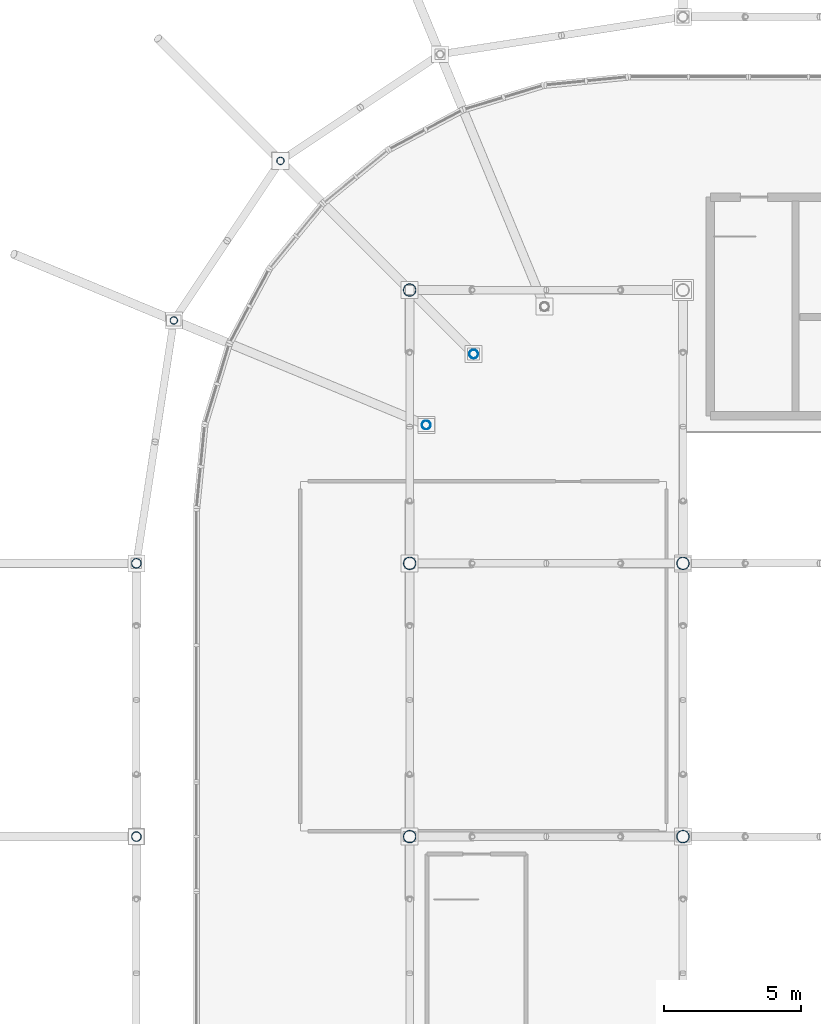
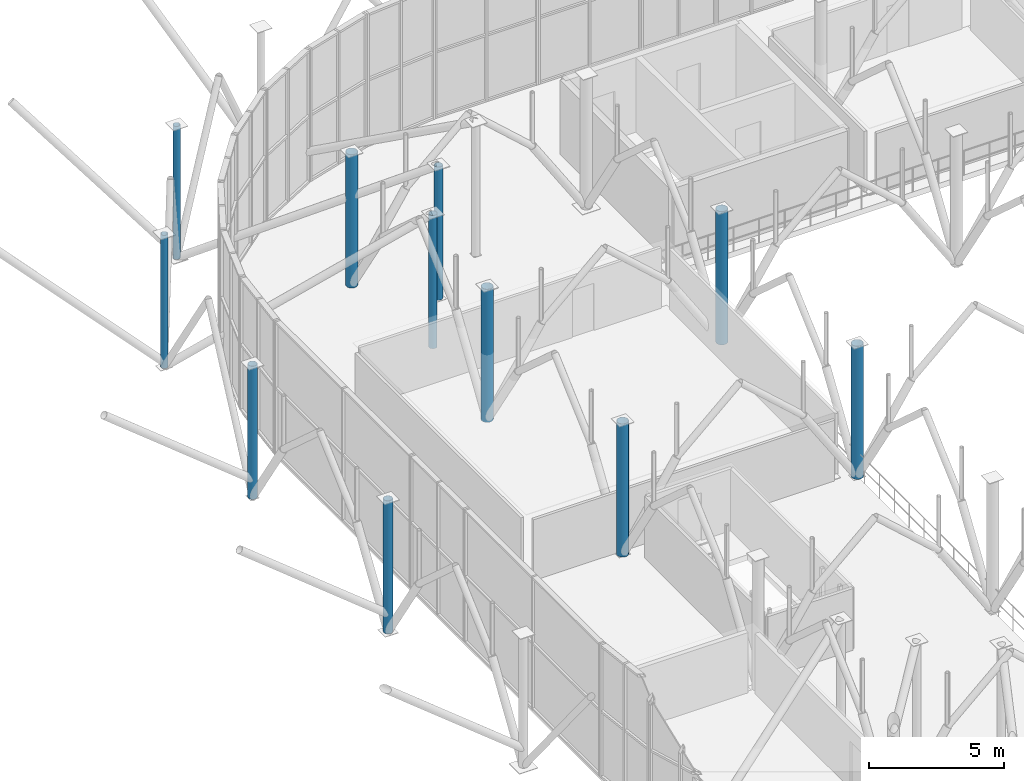
# One storey, part 4 of 109: 11 columns.
"""IFC4 building model written with IfcOpenShell, lengths in metres."""

from ifc_helpers import new_model, si_unit, derived_unit, direction, frame, origin, origin_2d_with_axis, place, context, subcontext, project, spatial, hollow_circle, extrude, material, material_profile, profile_set, type_object, element, save


model = new_model("IFC4")

# Units and contexts
model_context = context("Model", 3, precision=1e-05, world=origin(), true_north=direction((0.0, 1.0)))
body_context = subcontext(model_context, "Body", "Model", "MODEL_VIEW")
ifc_project = project(units=[si_unit("LENGTHUNIT", "METRE"), si_unit("AREAUNIT", "SQUARE_METRE"), si_unit("VOLUMEUNIT", "CUBIC_METRE"), si_unit("PLANEANGLEUNIT", "RADIAN"), si_unit("MASSUNIT", "GRAM", prefix="KILO"), derived_unit("THERMALTRANSMITTANCEUNIT", [(si_unit("POWERUNIT", "WATT"), 1), (si_unit("LENGTHUNIT", "METRE"), -2), (si_unit("THERMODYNAMICTEMPERATUREUNIT", "KELVIN"), -1)])], contexts=[model_context])

# Site, building, storey
site_placement = place(None, origin())
site = spatial("IfcSite", under=ifc_project, at=site_placement, CompositionType="ELEMENT")
building_placement = place(site_placement, origin())
building = spatial("IfcBuilding", under=site, at=building_placement, Name="Cinnabar Yard Market Hall", CompositionType="ELEMENT")
storey_placement = place(building_placement, frame((0.0, 0.0, 8.39990234375)))
storey = spatial("IfcBuildingStorey", under=building, at=storey_placement, Name="L02", CompositionType="ELEMENT", Elevation=8.39990234375)

# Columns
ifc_material = material(Name="Spotted-gum glulam-clad steel Grade 350 (350 MPa)", Category="steel")
ifc_material_profile_1 = material_profile(ifc_material, hollow_circle(Radius=0.228515625, WallThickness=0.0126953125, at=origin_2d_with_axis()), Name="457.0x12.7CHS")
ifc_profile_set_1 = profile_set([ifc_material_profile_1], Name="Spotted-gum glulam-clad steel Grade 350 (350 MPa)")
column_type_1 = type_object("IfcColumnType", Name="COL-C01", PredefinedType="COLUMN", material=ifc_profile_set_1)
for number, where, z_axis, x_axis, name in (
    (1, (76.0, 44.0, 0.0), (0.0, 0.0, 1.0), (1.0, 0.0, 0.0), "Tree Column V1I-01-03 L02"),
    (2, (76.0, 54.0, 0.0), (0.0, 0.0, 1.0), (1.0, 0.0, 0.0), "Tree Column V1I-01-04 L02"),
    (3, (76.0, 64.0, 0.0), (0.0, 0.0, 1.0), (1.0, 0.0, 0.0), "Tree Column V1I-01-05 L02"),
    (4, (86.0, 44.0, 0.0), (0.0, 0.0, 1.0), (1.0, 0.0, 0.0), "Tree Column V1I-02-03 L02"),
    (5, (86.0, 54.0, 0.0), (0.0, 0.0, 1.0), (1.0, 0.0, 0.0), "Tree Column V1I-02-04 L02"),
):
    element("IfcColumn", number, at=place(storey_placement, frame(where, z_axis=z_axis, x_axis=x_axis)), inside=storey, type_object=column_type_1, Name=name, PredefinedType="COLUMN", context=body_context, shape_type="SweptSolid", body=[
        extrude(hollow_circle(Radius=0.228515625, WallThickness=0.0126953125, at=origin_2d_with_axis()), origin(), (0.0, 0.0, 1.0), 6.0),
    ])
ifc_material_profile_2 = material_profile(ifc_material, hollow_circle(Radius=0.177734375, WallThickness=0.0126953125, at=origin_2d_with_axis()), Name="355.6x12.7CHS")
ifc_profile_set_2 = profile_set([ifc_material_profile_2], Name="Spotted-gum glulam-clad steel Grade 350 (350 MPa)")
column_type_2 = type_object("IfcColumnType", Name="COL-C02E", PredefinedType="COLUMN", material=ifc_profile_set_2)
for number, where, z_axis, x_axis, name in (
    (6, (66.0, 44.0, 0.0), (0.0, 0.0, 1.0), (1.0, 0.0, 0.0), "Tree Column V1W-02 L02"),
    (7, (66.0, 54.0, 0.0), (0.0, 0.0, 1.0), (1.0, 0.0, 0.0), "Tree Column V1W-03 L02"),
):
    element("IfcColumn", number, at=place(storey_placement, frame(where, z_axis=z_axis, x_axis=x_axis)), inside=storey, type_object=column_type_2, Name=name, PredefinedType="COLUMN", context=body_context, shape_type="SweptSolid", body=[
        extrude(hollow_circle(Radius=0.177734375, WallThickness=0.0126953125, at=origin_2d_with_axis()), origin(), (0.0, 0.0, 1.0), 6.0),
    ])
ifc_material_profile_3 = material_profile(ifc_material, hollow_circle(Radius=0.161865234375, WallThickness=0.009521484375, at=origin_2d_with_axis()), Name="323.9x9.5CHS")
ifc_profile_set_3 = profile_set([ifc_material_profile_3], Name="Spotted-gum glulam-clad steel Grade 350 (350 MPa)")
column_type_3 = type_object("IfcColumnType", Name="COL-C03", PredefinedType="COLUMN", material=ifc_profile_set_3)
for number, where, z_axis, x_axis, name in (
    (8, (78.343017578125, 61.656982421875, 0.0), (0.0, 0.0, 1.0), (1.0, 0.0, 0.0), "Tree Column V1IC-NW4 L02"),
    (9, (76.60888671875, 59.0615234375, 0.0), (0.0, 0.0, 1.0), (1.0, 0.0, 0.0), "Tree Column V1IC-NW6 L02"),
):
    element("IfcColumn", number, at=place(storey_placement, frame(where, z_axis=z_axis, x_axis=x_axis)), inside=storey, type_object=column_type_3, Name=name, PredefinedType="COLUMN", context=body_context, shape_type="SweptSolid", body=[
        extrude(hollow_circle(Radius=0.161865234375, WallThickness=0.009521484375, at=origin_2d_with_axis()), origin(), (0.0, 0.0, 1.0), 6.0),
    ])
ifc_material_profile_4 = material_profile(ifc_material, hollow_circle(Radius=0.136474609375, WallThickness=0.00927734375, at=origin_2d_with_axis()), Name="273.1x9.3CHS")
ifc_profile_set_4 = profile_set([ifc_material_profile_4], Name="Spotted-gum glulam-clad steel Grade 350 (350 MPa)")
column_type_4 = type_object("IfcColumnType", Name="COL-C04E", PredefinedType="COLUMN", material=ifc_profile_set_4)
for number, where, z_axis, x_axis, name in (
    (10, (71.272216796875, 68.727783203125, 0.0), (0.0, 0.0, 1.0), (1.0, 0.0, 0.0), "Tree Column V1C-NW4 L02"),
    (11, (67.3701171875, 62.88818359375, 0.0), (0.0, 0.0, 1.0), (1.0, 0.0, 0.0), "Tree Column V1C-NW6 L02"),
):
    element("IfcColumn", number, at=place(storey_placement, frame(where, z_axis=z_axis, x_axis=x_axis)), inside=storey, type_object=column_type_4, Name=name, PredefinedType="COLUMN", context=body_context, shape_type="SweptSolid", body=[
        extrude(hollow_circle(Radius=0.136474609375, WallThickness=0.00927734375, at=origin_2d_with_axis()), origin(), (0.0, 0.0, 1.0), 6.0),
    ])

save(model, "model.ifc")
